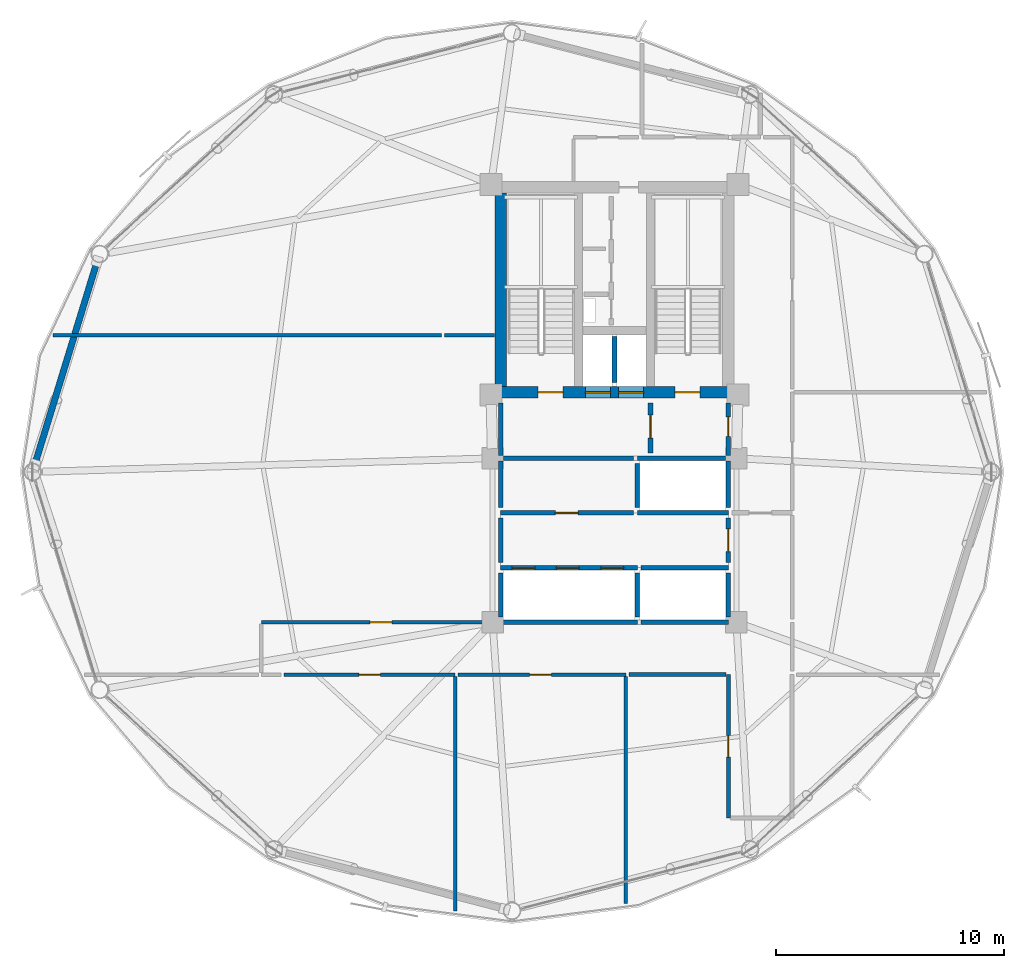
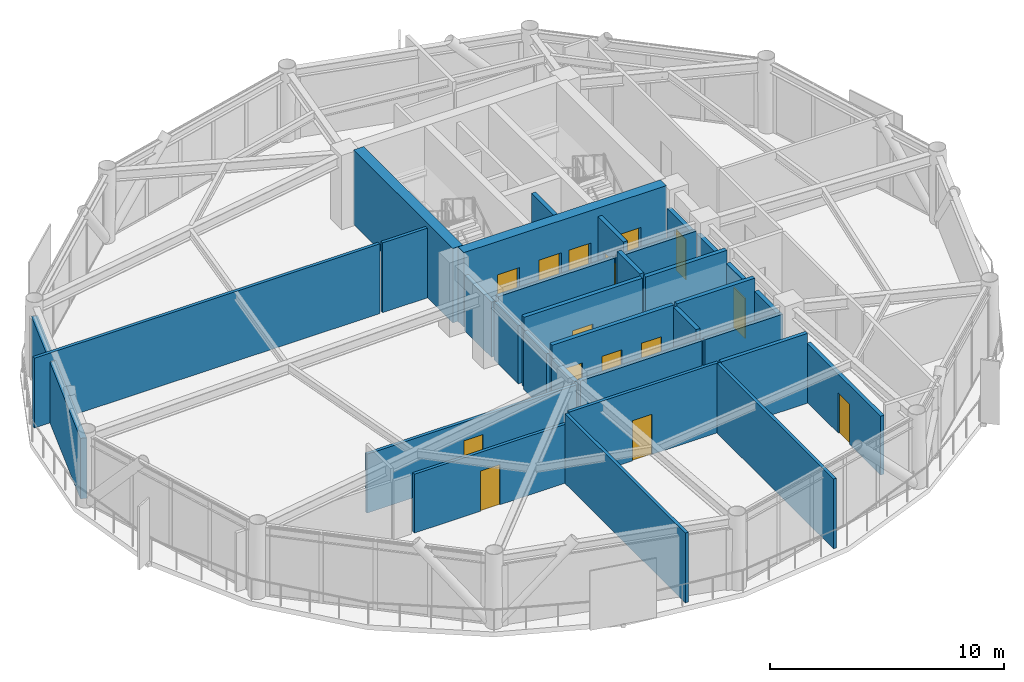
# One storey, part 22 of 27: 32 walls, 15 doors, 15 openings.
"""IFC4 building model written with IfcOpenShell, lengths in metres."""

from ifc_helpers import new_model, si_unit, direction, frame, frame_2d, origin, place, context, subcontext, project, spatial, rectangle, extrude, material, layer, layer_set, type_object, element, fill, save


model = new_model("IFC4")

# Units and contexts
model_context = context("Model", 3, precision=1e-05, world=origin(), true_north=direction((0.0, 1.0)))
body_context = subcontext(model_context, "Body", "Model", "MODEL_VIEW")
ifc_project = project(units=[si_unit("LENGTHUNIT", "METRE"), si_unit("AREAUNIT", "SQUARE_METRE"), si_unit("VOLUMEUNIT", "CUBIC_METRE"), si_unit("PLANEANGLEUNIT", "RADIAN"), si_unit("MASSUNIT", "GRAM", prefix="KILO")], contexts=[model_context])

# Site, building, storey
site_placement = place(None, origin())
site = spatial("IfcSite", under=ifc_project, at=site_placement, CompositionType="ELEMENT")
building_placement = place(site_placement, origin())
building = spatial("IfcBuilding", under=site, at=building_placement, Name="Varnakorn Sky Granary", CompositionType="ELEMENT")
storey_placement = place(building_placement, frame((0.0, 0.0, 134.39990234375)))
storey = spatial("IfcBuildingStorey", under=building, at=storey_placement, Name="L33", CompositionType="ELEMENT", Elevation=134.39990234375)

# Wall, openings, doors
ifc_material_1 = material(Name="Concrete C60/75", Category="concrete")
ifc_layer_1 = layer(ifc_material_1, 0.5, Name="Concrete C60/75")
ifc_layer_set_1 = layer_set([ifc_layer_1], Name="Concrete C60/75")
wall_type_1 = type_object("IfcWallType", Name="WT-CW-SHEAR-500", PredefinedType="SHEAR", material=ifc_layer_set_1)
wall_1_placement = place(storey_placement, frame((-2.0, 3.5, 0.0), z_axis=(0.0, 0.0, 1.0), x_axis=(1.0, 0.0, 0.0)))
wall_1 = element("IfcWall", 1, at=wall_1_placement, inside=storey, type_object=wall_type_1, Name="Core South Shear Wall L33", PredefinedType="SHEAR", context=body_context, shape_type="SweptSolid", body=[
    extrude(rectangle(XDim=10.0, YDim=0.5, at=frame_2d((5.0, 0.0))), origin(), (0.0, 0.0, 1.0), 3.89208984375),
])
opening_1_placement = place(wall_1_placement, frame((1.64990234375, 0.0, 0.0)))
opening_1 = element("IfcOpeningElement", 2, at=opening_1_placement, cuts=wall_1, Name="Opening FD-90", PredefinedType="OPENING", context=body_context, shape_type="SweptSolid", body=[
    extrude(rectangle(XDim=1.10009765625, YDim=2.14990234375, at=frame_2d((0.550048828125, 1.074951171875))), frame((0.0, 0.260009765625, 0.0), z_axis=(0.0, -1.0, 0.0), x_axis=(1.0, 0.0, 0.0)), (0.0, 0.0, 1.0), 0.52001953125),
])
opening_2_placement = place(wall_1_placement, frame((7.64990234375, 0.0, 0.0)))
opening_2 = element("IfcOpeningElement", 3, at=opening_2_placement, cuts=wall_1, Name="Opening FD-90", PredefinedType="OPENING", context=body_context, shape_type="SweptSolid", body=[
    extrude(rectangle(XDim=1.10009765625, YDim=2.14990234375, at=frame_2d((0.550048828125, 1.074951171875))), frame((0.0, 0.260009765625, 0.0), z_axis=(0.0, -1.0, 0.0), x_axis=(1.0, 0.0, 0.0)), (0.0, 0.0, 1.0), 0.52001953125),
])
opening_3_placement = place(wall_1_placement, frame((3.719970703125, 0.0, 0.0)))
opening_3 = element("IfcOpeningElement", 4, at=opening_3_placement, cuts=wall_1, Name="Opening LD-01", PredefinedType="OPENING", context=body_context, shape_type="SweptSolid", body=[
    extrude(rectangle(XDim=1.10009765625, YDim=2.199951171875, at=frame_2d((0.550048828125, 1.10009765625))), frame((0.0, 0.260009765625, 0.0), z_axis=(0.0, -1.0, 0.0), x_axis=(1.0, 0.0, 0.0)), (0.0, 0.0, 1.0), 0.52001953125),
])
opening_4_placement = place(wall_1_placement, frame((5.179931640625, 0.0, 0.0)))
opening_4 = element("IfcOpeningElement", 5, at=opening_4_placement, cuts=wall_1, Name="Opening LD-01", PredefinedType="OPENING", context=body_context, shape_type="SweptSolid", body=[
    extrude(rectangle(XDim=1.10009765625, YDim=2.199951171875, at=frame_2d((0.550048828125, 1.10009765625))), frame((0.0, 0.260009765625, 0.0), z_axis=(0.0, -1.0, 0.0), x_axis=(1.0, 0.0, 0.0)), (0.0, 0.0, 1.0), 0.52001953125),
])
ifc_material_2 = material(Name="Brushed Bronze Stainless Steel", Category="steel")
door_type_1 = type_object("IfcDoorType", Name="DR-LD-1100", OperationType="DOUBLE_DOOR_SLIDING", PredefinedType="DOOR", material=ifc_material_2)
door_1_placement = place(opening_3_placement, origin())
door_1 = element("IfcDoor", 6, at=door_1_placement, inside=storey, type_object=door_type_1, Name="Firefighting Lift FFL-1 Landing Door L33", OperationType="DOUBLE_DOOR_SLIDING", OverallHeight=2.199951171875, OverallWidth=1.10009765625, PredefinedType="DOOR", context=body_context, shape_type="SweptSolid", body=[
    extrude(rectangle(XDim=1.10009765625, YDim=2.199951171875, at=frame_2d((0.550048828125, 1.10009765625))), frame((0.0, 0.02490234375, 0.0), z_axis=(0.0, -1.0, 0.0), x_axis=(1.0, 0.0, 0.0)), (0.0, 0.0, 1.0), 0.050048828125),
])
fill(opening_3, door_1)
door_2_placement = place(opening_4_placement, origin())
door_2 = element("IfcDoor", 7, at=door_2_placement, inside=storey, type_object=door_type_1, Name="Firefighting Lift FFL-2 Landing Door L33", OperationType="DOUBLE_DOOR_SLIDING", OverallHeight=2.199951171875, OverallWidth=1.10009765625, PredefinedType="DOOR", context=body_context, shape_type="SweptSolid", body=[
    extrude(rectangle(XDim=1.10009765625, YDim=2.199951171875, at=frame_2d((0.550048828125, 1.10009765625))), frame((0.0, 0.02490234375, 0.0), z_axis=(0.0, -1.0, 0.0), x_axis=(1.0, 0.0, 0.0)), (0.0, 0.0, 1.0), 0.050048828125),
])
fill(opening_4, door_2)
ifc_material_3 = material(Name="Galvanised Painted Steel Leaf", Category="steel")
door_type_2 = type_object("IfcDoorType", Name="DR-STAIR-1100", OperationType="NOTDEFINED", PredefinedType="DOOR", material=ifc_material_3)
door_3_placement = place(opening_1_placement, origin())
door_3 = element("IfcDoor", 8, at=door_3_placement, inside=storey, type_object=door_type_2, Name="Stair ST-1 Protected Fire Door L33", OperationType="SINGLE_SWING_LEFT", OverallHeight=2.14990234375, OverallWidth=1.10009765625, PredefinedType="DOOR", context=body_context, shape_type="SweptSolid", body=[
    extrude(rectangle(XDim=1.10009765625, YDim=2.14990234375, at=frame_2d((0.550048828125, 1.074951171875))), frame((0.0, 0.02490234375, 0.0), z_axis=(0.0, -1.0, 0.0), x_axis=(1.0, 0.0, 0.0)), (0.0, 0.0, 1.0), 0.050048828125),
])
fill(opening_1, door_3)
door_4_placement = place(opening_2_placement, origin())
door_4 = element("IfcDoor", 9, at=door_4_placement, inside=storey, type_object=door_type_2, Name="Stair ST-2 Protected Fire Door L33", OperationType="SINGLE_SWING_RIGHT", OverallHeight=2.14990234375, OverallWidth=1.10009765625, PredefinedType="DOOR", context=body_context, shape_type="SweptSolid", body=[
    extrude(rectangle(XDim=1.10009765625, YDim=2.14990234375, at=frame_2d((0.550048828125, 1.074951171875))), frame((0.0, 0.02490234375, 0.0), z_axis=(0.0, -1.0, 0.0), x_axis=(1.0, 0.0, 0.0)), (0.0, 0.0, 1.0), 0.050048828125),
])
fill(opening_2, door_4)

# Walls
wall_2_placement = place(storey_placement, frame((-2.0, 3.760009765625, 0.0), z_axis=(0.0, 0.0, 1.0), x_axis=(0.0, 1.0, 0.0)))
element("IfcWall", 10, at=wall_2_placement, inside=storey, type_object=wall_type_1, Name="Core West Shear Wall L33", PredefinedType="SHEAR", context=body_context, shape_type="SweptSolid", body=[
    extrude(rectangle(XDim=8.47998046875, YDim=0.5, at=frame_2d((4.239990234375, 0.0))), origin(), (0.0, 0.0, 1.0), 3.89208984375),
])
ifc_material_4 = material(Name="Precast concrete C40/50", Category="concrete")
ifc_layer_2 = layer(ifc_material_4, 0.280029296875, Name="Precast concrete C40/50")
ifc_layer_set_2 = layer_set([ifc_layer_2], Name="Precast concrete C40/50")
wall_type_2 = type_object("IfcWallType", Name="WT-EW-CRN-280", PredefinedType="SOLIDWALL", material=ifc_layer_set_2)
wall_3_placement = place(storey_placement, frame((-22.451416015625, 0.3212890625, 0.0), z_axis=(0.0, 0.0, 1.0), x_axis=(0.2933492289, 0.956005350353, 0.0)))
element("IfcWall", 11, at=wall_3_placement, inside=storey, type_object=wall_type_2, Name="Agritech Insulated Precast Facade Wall L33-P06", PredefinedType="SOLIDWALL", context=body_context, shape_type="SweptSolid", body=[
    extrude(rectangle(XDim=9.34033203125, YDim=0.280029296875, at=frame_2d((4.670166015625, 0.0))), origin(), (0.0, 0.0, 1.0), 3.16015625),
])

# Wall, opening, door
ifc_material_5 = material(Name="Autoclaved Aerated Concrete Blockwork", Category="masonry")
ifc_layer_3 = layer(ifc_material_5, 0.199951171875, Name="Autoclaved Aerated Concrete Blockwork")
ifc_layer_set_3 = layer_set([ifc_layer_3], Name="Autoclaved Aerated Concrete Blockwork")
wall_type_3 = type_object("IfcWallType", Name="WT-FIRE-200", PredefinedType="MOVABLE", material=ifc_layer_set_3)
wall_4_placement = place(storey_placement, frame((4.580078125, 0.830078125, 0.0), z_axis=(0.0, 0.0, 1.0), x_axis=(0.0, 1.0, 0.0)))
wall_4 = element("IfcWall", 12, at=wall_4_placement, inside=storey, type_object=wall_type_3, Name="Interior Partition Wall L33-015", PredefinedType="MOVABLE", context=body_context, shape_type="SweptSolid", body=[
    extrude(rectangle(XDim=2.18994140625, YDim=0.199951171875, at=frame_2d((1.094970703125, 0.0))), origin(), (0.0, 0.0, 1.0), 3.64013671875),
])
opening_5_placement = place(wall_4_placement, frame((0.659912109375, 0.0, 0.0)))
opening_5 = element("IfcOpeningElement", 13, at=opening_5_placement, cuts=wall_4, Name="Opening FD-60", PredefinedType="OPENING", context=body_context, shape_type="SweptSolid", body=[
    extrude(rectangle(XDim=1.0, YDim=2.10009765625, at=frame_2d((0.5, 1.050048828125))), frame((0.0, 0.10986328125, 0.0), z_axis=(0.0, -1.0, 0.0), x_axis=(1.0, 0.0, 0.0)), (0.0, 0.0, 1.0), 0.219970703125),
])
ifc_material_6 = material(Name="Acoustic Timber Fire Leaf", Category="wood")
door_type_3 = type_object("IfcDoorType", Name="DR-FD60-1000", OperationType="NOTDEFINED", PredefinedType="DOOR", material=ifc_material_6)
door_5_placement = place(opening_5_placement, origin())
door_5 = element("IfcDoor", 14, at=door_5_placement, inside=storey, type_object=door_type_3, Name="Interior Door L33-015-1", OperationType="SINGLE_SWING_RIGHT", OverallHeight=2.10009765625, OverallWidth=1.0, PredefinedType="DOOR", context=body_context, shape_type="SweptSolid", body=[
    extrude(rectangle(XDim=1.0, YDim=2.10009765625, at=frame_2d((0.5, 1.050048828125))), frame((0.0, 0.02490234375, 0.0), z_axis=(0.0, -1.0, 0.0), x_axis=(1.0, 0.0, 0.0)), (0.0, 0.0, 1.0), 0.050048828125),
])
fill(opening_5, door_5)

wall_5_placement = place(storey_placement, frame((8.0, 0.719970703125, 0.0), z_axis=(0.0, 0.0, 1.0), x_axis=(0.0, 1.0, 0.0)))
wall_5 = element("IfcWall", 15, at=wall_5_placement, inside=storey, type_object=wall_type_3, Name="Interior Partition Wall L33-016", PredefinedType="MOVABLE", context=body_context, shape_type="SweptSolid", body=[
    extrude(rectangle(XDim=2.300048828125, YDim=0.199951171875, at=frame_2d((1.14990234375, 0.0))), origin(), (0.0, 0.0, 1.0), 2.8720703125),
])
opening_6_placement = place(wall_5_placement, frame((0.844970703125, 0.0, 0.0)))
opening_6 = element("IfcOpeningElement", 16, at=opening_6_placement, cuts=wall_5, Name="Opening FD-60N", PredefinedType="OPENING", context=body_context, shape_type="SweptSolid", body=[
    extrude(rectangle(XDim=0.85009765625, YDim=2.10009765625, at=frame_2d((0.425048828125, 1.050048828125))), frame((0.0, 0.10986328125, 0.0), z_axis=(0.0, -1.0, 0.0), x_axis=(1.0, 0.0, 0.0)), (0.0, 0.0, 1.0), 0.219970703125),
])
door_type_4 = type_object("IfcDoorType", Name="DR-FD60-850", OperationType="NOTDEFINED", PredefinedType="DOOR", material=ifc_material_6)
door_6_placement = place(opening_6_placement, origin())
door_6 = element("IfcDoor", 17, at=door_6_placement, inside=storey, type_object=door_type_4, Name="Interior Door L33-016-1", OperationType="SINGLE_SWING_LEFT", OverallHeight=2.10009765625, OverallWidth=0.85009765625, PredefinedType="DOOR", context=body_context, shape_type="SweptSolid", body=[
    extrude(rectangle(XDim=0.85009765625, YDim=2.10009765625, at=frame_2d((0.425048828125, 1.050048828125))), frame((0.0, 0.02490234375, 0.0), z_axis=(0.0, -1.0, 0.0), x_axis=(1.0, 0.0, 0.0)), (0.0, 0.0, 1.0), 0.050048828125),
])
fill(opening_6, door_6)

wall_6_placement = place(storey_placement, frame((8.0, -3.969970703125, 0.0), z_axis=(0.0, 0.0, 1.0), x_axis=(0.0, 1.0, 0.0)))
wall_6 = element("IfcWall", 18, at=wall_6_placement, inside=storey, type_object=wall_type_3, Name="Interior Partition Wall L33-017", PredefinedType="MOVABLE", context=body_context, shape_type="SweptSolid", body=[
    extrude(rectangle(XDim=1.93994140625, YDim=0.199951171875, at=frame_2d((0.969970703125, 0.0))), origin(), (0.0, 0.0, 1.0), 3.072021484375),
])
opening_7_placement = place(wall_6_placement, frame((0.469970703125, 0.0, 0.0)))
opening_7 = element("IfcOpeningElement", 19, at=opening_7_placement, cuts=wall_6, Name="Opening FD-60", PredefinedType="OPENING", context=body_context, shape_type="SweptSolid", body=[
    extrude(rectangle(XDim=1.0, YDim=2.10009765625, at=frame_2d((0.5, 1.050048828125))), frame((0.0, 0.10986328125, 0.0), z_axis=(0.0, -1.0, 0.0), x_axis=(1.0, 0.0, 0.0)), (0.0, 0.0, 1.0), 0.219970703125),
])
door_7_placement = place(opening_7_placement, origin())
door_7 = element("IfcDoor", 20, at=door_7_placement, inside=storey, type_object=door_type_3, Name="Interior Door L33-017-1", OperationType="SINGLE_SWING_RIGHT", OverallHeight=2.10009765625, OverallWidth=1.0, PredefinedType="DOOR", context=body_context, shape_type="SweptSolid", body=[
    extrude(rectangle(XDim=1.0, YDim=2.10009765625, at=frame_2d((0.5, 1.050048828125))), frame((0.0, 0.02490234375, 0.0), z_axis=(0.0, -1.0, 0.0), x_axis=(1.0, 0.0, 0.0)), (0.0, 0.0, 1.0), 0.050048828125),
])
fill(opening_7, door_7)

wall_7_placement = place(storey_placement, frame((-2.0, -1.800048828125, 0.0), z_axis=(0.0, 0.0, 1.0), x_axis=(1.0, 0.0, 0.0)))
wall_7 = element("IfcWall", 21, at=wall_7_placement, inside=storey, type_object=wall_type_3, Name="Interior Partition Wall L33-018", PredefinedType="MOVABLE", context=body_context, shape_type="SweptSolid", body=[
    extrude(rectangle(XDim=5.840087890625, YDim=0.199951171875, at=frame_2d((2.919921875, 0.0))), origin(), (0.0, 0.0, 1.0), 3.64013671875),
])
opening_8_placement = place(wall_7_placement, frame((2.39990234375, 0.0, 0.0)))
opening_8 = element("IfcOpeningElement", 22, at=opening_8_placement, cuts=wall_7, Name="Opening FD-60", PredefinedType="OPENING", context=body_context, shape_type="SweptSolid", body=[
    extrude(rectangle(XDim=1.0, YDim=2.10009765625, at=frame_2d((0.5, 1.050048828125))), frame((0.0, 0.10986328125, 0.0), z_axis=(0.0, -1.0, 0.0), x_axis=(1.0, 0.0, 0.0)), (0.0, 0.0, 1.0), 0.219970703125),
])
door_8_placement = place(opening_8_placement, origin())
door_8 = element("IfcDoor", 23, at=door_8_placement, inside=storey, type_object=door_type_3, Name="Interior Door L33-018-1", OperationType="SINGLE_SWING_LEFT", OverallHeight=2.10009765625, OverallWidth=1.0, PredefinedType="DOOR", context=body_context, shape_type="SweptSolid", body=[
    extrude(rectangle(XDim=1.0, YDim=2.10009765625, at=frame_2d((0.5, 1.050048828125))), frame((0.0, 0.02490234375, 0.0), z_axis=(0.0, -1.0, 0.0), x_axis=(1.0, 0.0, 0.0)), (0.0, 0.0, 1.0), 0.050048828125),
])
fill(opening_8, door_8)

# Walls
wall_8_placement = place(storey_placement, frame((-1.8798828125, 0.60009765625, 0.0), z_axis=(0.0, 0.0, 1.0), x_axis=(1.0, 0.0, 0.0)))
element("IfcWall", 24, at=wall_8_placement, inside=storey, type_object=wall_type_3, Name="Interior Partition Wall L33-029", PredefinedType="MOVABLE", context=body_context, shape_type="SweptSolid", body=[
    extrude(rectangle(XDim=5.719970703125, YDim=0.199951171875, at=frame_2d((2.85986328125, 0.0))), origin(), (0.0, 0.0, 1.0), 3.22216796875),
])
wall_9_placement = place(storey_placement, frame((-2.0, 0.719970703125, 0.0), z_axis=(0.0, 0.0, 1.0), x_axis=(0.0, 1.0, 0.0)))
element("IfcWall", 25, at=wall_9_placement, inside=storey, type_object=wall_type_3, Name="Interior Partition Wall L33-030", PredefinedType="MOVABLE", context=body_context, shape_type="SweptSolid", body=[
    extrude(rectangle(XDim=2.300048828125, YDim=0.199951171875, at=frame_2d((1.14990234375, 0.0))), origin(), (0.0, 0.0, 1.0), 2.8720703125),
])
wall_10_placement = place(storey_placement, frame((-2.0, -3.969970703125, 0.0), z_axis=(0.0, 0.0, 1.0), x_axis=(0.0, 1.0, 0.0)))
element("IfcWall", 26, at=wall_10_placement, inside=storey, type_object=wall_type_3, Name="Interior Partition Wall L33-031", PredefinedType="MOVABLE", context=body_context, shape_type="SweptSolid", body=[
    extrude(rectangle(XDim=1.93994140625, YDim=0.199951171875, at=frame_2d((0.969970703125, 0.0))), origin(), (0.0, 0.0, 1.0), 3.022216796875),
])
wall_11_placement = place(storey_placement, frame((-2.0, -1.570068359375, 0.0), z_axis=(0.0, 0.0, 1.0), x_axis=(0.0, 1.0, 0.0)))
element("IfcWall", 27, at=wall_11_placement, inside=storey, type_object=wall_type_3, Name="Interior Partition Wall L33-032", PredefinedType="MOVABLE", context=body_context, shape_type="SweptSolid", body=[
    extrude(rectangle(XDim=2.050048828125, YDim=0.199951171875, at=frame_2d((1.02490234375, 0.0))), origin(), (0.0, 0.0, 1.0), 3.022216796875),
])

# Wall, opening, door
ifc_material_7 = material(Name="Gypsum Plasterboard on Steel Stud", Category="steel")
ifc_layer_4 = layer(ifc_material_7, 0.14990234375, Name="Gypsum Plasterboard on Steel Stud")
ifc_layer_set_4 = layer_set([ifc_layer_4], Name="Gypsum Plasterboard on Steel Stud")
wall_type_4 = type_object("IfcWallType", Name="WT-PART-150", PredefinedType="PARTITIONING", material=ifc_layer_set_4)
wall_12_placement = place(storey_placement, frame((-11.5, -8.89990234375, 0.0), z_axis=(0.0, 0.0, 1.0), x_axis=(1.0, 0.0, 0.0)))
wall_12 = element("IfcWall", 28, at=wall_12_placement, inside=storey, type_object=wall_type_4, Name="Interior Partition Wall L33-021", PredefinedType="PARTITIONING", context=body_context, shape_type="SweptSolid", body=[
    extrude(rectangle(XDim=7.5, YDim=0.14990234375, at=frame_2d((3.75, 0.0))), origin(), (0.0, 0.0, 1.0), 3.072021484375),
])
opening_9_placement = place(wall_12_placement, frame((3.27490234375, 0.0, 0.0)))
opening_9 = element("IfcOpeningElement", 29, at=opening_9_placement, cuts=wall_12, Name="Opening ID-95", PredefinedType="OPENING", context=body_context, shape_type="SweptSolid", body=[
    extrude(rectangle(XDim=0.949951171875, YDim=2.10009765625, at=frame_2d((0.47509765625, 1.050048828125))), frame((0.0, 0.0849609375, 0.0), z_axis=(0.0, -1.0, 0.0), x_axis=(1.0, 0.0, 0.0)), (0.0, 0.0, 1.0), 0.169921875),
])
ifc_material_8 = material(Name="Solid-Core Teak Veneer Leaf", Category="timber")
door_type_5 = type_object("IfcDoorType", Name="DR-INT-950", OperationType="NOTDEFINED", PredefinedType="DOOR", material=ifc_material_8)
door_9_placement = place(opening_9_placement, origin())
door_9 = element("IfcDoor", 30, at=door_9_placement, inside=storey, type_object=door_type_5, Name="Interior Door L33-021-1", OperationType="SINGLE_SWING_RIGHT", OverallHeight=2.10009765625, OverallWidth=0.949951171875, PredefinedType="DOOR", context=body_context, shape_type="SweptSolid", body=[
    extrude(rectangle(XDim=0.949951171875, YDim=2.10009765625, at=frame_2d((0.47509765625, 1.050048828125))), frame((0.0, 0.02490234375, 0.0), z_axis=(0.0, -1.0, 0.0), x_axis=(1.0, 0.0, 0.0)), (0.0, 0.0, 1.0), 0.050048828125),
])
fill(opening_9, door_9)

wall_13_placement = place(storey_placement, frame((-3.864990234375, -8.89990234375, 0.0), z_axis=(0.0, 0.0, 1.0), x_axis=(1.0, 0.0, 0.0)))
wall_13 = element("IfcWall", 31, at=wall_13_placement, inside=storey, type_object=wall_type_4, Name="Interior Partition Wall L33-022", PredefinedType="PARTITIONING", context=body_context, shape_type="SweptSolid", body=[
    extrude(rectangle(XDim=7.364990234375, YDim=0.14990234375, at=frame_2d((3.6826171875, 0.0))), origin(), (0.0, 0.0, 1.0), 3.64013671875),
])
opening_10_placement = place(wall_13_placement, frame((3.139892578125, 0.0, 0.0)))
opening_10 = element("IfcOpeningElement", 32, at=opening_10_placement, cuts=wall_13, Name="Opening ID-95", PredefinedType="OPENING", context=body_context, shape_type="SweptSolid", body=[
    extrude(rectangle(XDim=0.949951171875, YDim=2.10009765625, at=frame_2d((0.47509765625, 1.050048828125))), frame((0.0, 0.0849609375, 0.0), z_axis=(0.0, -1.0, 0.0), x_axis=(1.0, 0.0, 0.0)), (0.0, 0.0, 1.0), 0.169921875),
])
door_10_placement = place(opening_10_placement, origin())
door_10 = element("IfcDoor", 33, at=door_10_placement, inside=storey, type_object=door_type_5, Name="Interior Door L33-022-1", OperationType="SINGLE_SWING_LEFT", OverallHeight=2.10009765625, OverallWidth=0.949951171875, PredefinedType="DOOR", context=body_context, shape_type="SweptSolid", body=[
    extrude(rectangle(XDim=0.949951171875, YDim=2.10009765625, at=frame_2d((0.47509765625, 1.050048828125))), frame((0.0, 0.02490234375, 0.0), z_axis=(0.0, -1.0, 0.0), x_axis=(1.0, 0.0, 0.0)), (0.0, 0.0, 1.0), 0.050048828125),
])
fill(opening_10, door_10)

wall_14_placement = place(storey_placement, frame((-2.159912109375, -6.60009765625, 0.0), z_axis=(0.0, 0.0, 1.0), x_axis=(-1.0, 0.0, 0.0)))
wall_14 = element("IfcWall", 34, at=wall_14_placement, inside=storey, type_object=wall_type_4, Name="Interior Partition Wall L33-024", PredefinedType="PARTITIONING", context=body_context, shape_type="SweptSolid", body=[
    extrude(rectangle(XDim=10.340087890625, YDim=0.14990234375, at=frame_2d((5.169921875, 0.0))), origin(), (0.0, 0.0, 1.0), 3.072021484375),
])
opening_11_placement = place(wall_14_placement, frame((4.614990234375, 0.0, 0.0)))
opening_11 = element("IfcOpeningElement", 35, at=opening_11_placement, cuts=wall_14, Name="Opening ID-95", PredefinedType="OPENING", context=body_context, shape_type="SweptSolid", body=[
    extrude(rectangle(XDim=0.949951171875, YDim=2.10009765625, at=frame_2d((0.47509765625, 1.050048828125))), frame((0.0, 0.0849609375, 0.0), z_axis=(0.0, -1.0, 0.0), x_axis=(1.0, 0.0, 0.0)), (0.0, 0.0, 1.0), 0.169921875),
])
door_11_placement = place(opening_11_placement, origin())
door_11 = element("IfcDoor", 36, at=door_11_placement, inside=storey, type_object=door_type_5, Name="Interior Door L33-024-1", OperationType="SINGLE_SWING_LEFT", OverallHeight=2.10009765625, OverallWidth=0.949951171875, PredefinedType="DOOR", context=body_context, shape_type="SweptSolid", body=[
    extrude(rectangle(XDim=0.949951171875, YDim=2.10009765625, at=frame_2d((0.47509765625, 1.050048828125))), frame((0.0, 0.02490234375, 0.0), z_axis=(0.0, -1.0, 0.0), x_axis=(1.0, 0.0, 0.0)), (0.0, 0.0, 1.0), 0.050048828125),
])
fill(opening_11, door_11)

# Walls
wall_15_placement = place(storey_placement, frame((-4.0, -8.985107421875, 0.0), z_axis=(0.0, 0.0, 1.0), x_axis=(0.0, -1.0, 0.0)))
element("IfcWall", 37, at=wall_15_placement, inside=storey, type_object=wall_type_4, Name="Interior Partition Wall L33-035", PredefinedType="PARTITIONING", context=body_context, shape_type="SweptSolid", body=[
    extrude(rectangle(XDim=10.281982421875, YDim=0.14990234375, at=frame_2d((5.14111328125, 0.0))), origin(), (0.0, 0.0, 1.0), 3.64013671875),
])
wall_16_placement = place(storey_placement, frame((3.5, -8.985107421875, 0.0), z_axis=(0.0, 0.0, 1.0), x_axis=(0.0, -1.0, 0.0)))
element("IfcWall", 38, at=wall_16_placement, inside=storey, type_object=wall_type_4, Name="Interior Partition Wall L33-037", PredefinedType="PARTITIONING", context=body_context, shape_type="SweptSolid", body=[
    extrude(rectangle(XDim=9.9599609375, YDim=0.14990234375, at=frame_2d((4.97998046875, 0.0))), origin(), (0.0, 0.0, 1.0), 3.64013671875),
])
wall_17_placement = place(storey_placement, frame((-21.64404296875, 6.0, 0.0), z_axis=(0.0, 0.0, 1.0), x_axis=(1.0, 0.0, 0.0)))
element("IfcWall", 39, at=wall_17_placement, inside=storey, type_object=wall_type_4, Name="Interior Partition Wall L33-043", PredefinedType="PARTITIONING", context=body_context, shape_type="SweptSolid", body=[
    extrude(rectangle(XDim=17.0439453125, YDim=0.14990234375, at=frame_2d((8.52197265625, 0.0))), origin(), (0.0, 0.0, 1.0), 3.64013671875),
])
wall_18_placement = place(storey_placement, frame((-4.465087890625, 6.0, 0.0), z_axis=(0.0, 0.0, 1.0), x_axis=(1.0, 0.0, 0.0)))
element("IfcWall", 40, at=wall_18_placement, inside=storey, type_object=wall_type_4, Name="Interior Partition Wall L33-044", PredefinedType="PARTITIONING", context=body_context, shape_type="SweptSolid", body=[
    extrude(rectangle(XDim=2.205078125, YDim=0.14990234375, at=frame_2d((1.1025390625, 0.0))), origin(), (0.0, 0.0, 1.0), 3.64013671875),
])

# Wall, opening, door
ifc_material_9 = material(Name="Moisture-Resistant Gypsum on Stud", Category="gypsum")
ifc_layer_5 = layer(ifc_material_9, 0.179931640625, Name="Moisture-Resistant Gypsum on Stud")
ifc_layer_set_5 = layer_set([ifc_layer_5], Name="Moisture-Resistant Gypsum on Stud")
wall_type_5 = type_object("IfcWallType", Name="WT-PLUMB-180", PredefinedType="PLUMBINGWALL", material=ifc_layer_set_5)
wall_19_placement = place(storey_placement, frame((8.0, -8.89990234375, 0.0), z_axis=(0.0, 0.0, 1.0), x_axis=(0.0, -1.0, 0.0)))
wall_19 = element("IfcWall", 41, at=wall_19_placement, inside=storey, type_object=wall_type_5, Name="Interior Partition Wall L33-023", PredefinedType="PLUMBINGWALL", context=body_context, shape_type="SweptSolid", body=[
    extrude(rectangle(XDim=6.300048828125, YDim=0.179931640625, at=frame_2d((3.14990234375, 0.0))), origin(), (0.0, 0.0, 1.0), 3.072021484375),
])
opening_12_placement = place(wall_19_placement, frame((2.675048828125, 0.0, 0.0)))
opening_12 = element("IfcOpeningElement", 42, at=opening_12_placement, cuts=wall_19, Name="Opening ID-95", PredefinedType="OPENING", context=body_context, shape_type="SweptSolid", body=[
    extrude(rectangle(XDim=0.949951171875, YDim=2.10009765625, at=frame_2d((0.47509765625, 1.050048828125))), frame((0.0, 0.10009765625, 0.0), z_axis=(0.0, -1.0, 0.0), x_axis=(1.0, 0.0, 0.0)), (0.0, 0.0, 1.0), 0.199951171875),
])
door_12_placement = place(opening_12_placement, origin())
door_12 = element("IfcDoor", 43, at=door_12_placement, inside=storey, type_object=door_type_5, Name="Interior Door L33-023-1", OperationType="SINGLE_SWING_RIGHT", OverallHeight=2.10009765625, OverallWidth=0.949951171875, PredefinedType="DOOR", context=body_context, shape_type="SweptSolid", body=[
    extrude(rectangle(XDim=0.949951171875, YDim=2.10009765625, at=frame_2d((0.47509765625, 1.050048828125))), frame((0.0, 0.02490234375, 0.0), z_axis=(0.0, -1.0, 0.0), x_axis=(1.0, 0.0, 0.0)), (0.0, 0.0, 1.0), 0.050048828125),
])
fill(opening_12, door_12)

# Walls
wall_20_placement = place(storey_placement, frame((3.635009765625, -8.89990234375, 0.0), z_axis=(0.0, 0.0, 1.0), x_axis=(1.0, 0.0, 0.0)))
element("IfcWall", 44, at=wall_20_placement, inside=storey, type_object=wall_type_5, Name="Interior Partition Wall L33-039", PredefinedType="PLUMBINGWALL", context=body_context, shape_type="SweptSolid", body=[
    extrude(rectangle(XDim=4.264892578125, YDim=0.179931640625, at=frame_2d((2.13232421875, 0.0))), origin(), (0.0, 0.0, 1.0), 3.64013671875),
])
ifc_layer_6 = layer(ifc_material_5, 0.199951171875, Name="Autoclaved Aerated Concrete Blockwork")
ifc_layer_set_6 = layer_set([ifc_layer_6], Name="Autoclaved Aerated Concrete Blockwork")
wall_type_6 = type_object("IfcWallType", Name="WT-SHAFT-200", PredefinedType="SOLIDWALL", material=ifc_layer_set_6)
wall_21_placement = place(storey_placement, frame((3.0, 3.919921875, 0.0), z_axis=(0.0, 0.0, 1.0), x_axis=(0.0, 1.0, 0.0)))
element("IfcWall", 45, at=wall_21_placement, inside=storey, type_object=wall_type_6, Name="Interior Partition Wall L33-001", PredefinedType="SOLIDWALL", context=body_context, shape_type="SweptSolid", body=[
    extrude(rectangle(XDim=2.030029296875, YDim=0.199951171875, at=frame_2d((1.01513671875, 0.0))), origin(), (0.0, 0.0, 1.0), 3.64013671875),
])
wall_22_placement = place(storey_placement, frame((4.0, 0.60009765625, 0.0), z_axis=(0.0, 0.0, 1.0), x_axis=(1.0, 0.0, 0.0)))
element("IfcWall", 46, at=wall_22_placement, inside=storey, type_object=wall_type_6, Name="Interior Partition Wall L33-003", PredefinedType="SOLIDWALL", context=body_context, shape_type="SweptSolid", body=[
    extrude(rectangle(XDim=3.8798828125, YDim=0.199951171875, at=frame_2d((1.93994140625, 0.0))), origin(), (0.0, 0.0, 1.0), 3.22216796875),
])
wall_23_placement = place(storey_placement, frame((4.0, -1.800048828125, 0.0), z_axis=(0.0, 0.0, 1.0), x_axis=(1.0, 0.0, 0.0)))
element("IfcWall", 47, at=wall_23_placement, inside=storey, type_object=wall_type_6, Name="Interior Partition Wall L33-004", PredefinedType="SOLIDWALL", context=body_context, shape_type="SweptSolid", body=[
    extrude(rectangle(XDim=4.0, YDim=0.199951171875, at=frame_2d((2.0, 0.0))), origin(), (0.0, 0.0, 1.0), 3.64013671875),
])
wall_24_placement = place(storey_placement, frame((4.0, -1.570068359375, 0.0), z_axis=(0.0, 0.0, 1.0), x_axis=(0.0, 1.0, 0.0)))
element("IfcWall", 48, at=wall_24_placement, inside=storey, type_object=wall_type_6, Name="Interior Partition Wall L33-005", PredefinedType="SOLIDWALL", context=body_context, shape_type="SweptSolid", body=[
    extrude(rectangle(XDim=1.940185546875, YDim=0.199951171875, at=frame_2d((0.97021484375, 0.0))), origin(), (0.0, 0.0, 1.0), 3.64013671875),
])
wall_25_placement = place(storey_placement, frame((8.0, -1.570068359375, 0.0), z_axis=(0.0, 0.0, 1.0), x_axis=(0.0, 1.0, 0.0)))
element("IfcWall", 49, at=wall_25_placement, inside=storey, type_object=wall_type_6, Name="Interior Partition Wall L33-006", PredefinedType="SOLIDWALL", context=body_context, shape_type="SweptSolid", body=[
    extrude(rectangle(XDim=2.050048828125, YDim=0.199951171875, at=frame_2d((1.02490234375, 0.0))), origin(), (0.0, 0.0, 1.0), 3.072021484375),
])

# Wall, openings, doors
wall_26_placement = place(storey_placement, frame((-2.0, -4.199951171875, 0.0), z_axis=(0.0, 0.0, 1.0), x_axis=(1.0, 0.0, 0.0)))
wall_26 = element("IfcWall", 50, at=wall_26_placement, inside=storey, type_object=wall_type_6, Name="Interior Partition Wall L33-007", PredefinedType="SOLIDWALL", context=body_context, shape_type="SweptSolid", body=[
    extrude(rectangle(XDim=6.0, YDim=0.199951171875, at=frame_2d((3.0, 0.0))), origin(), (0.0, 0.0, 1.0), 3.64013671875),
])
opening_13_placement = place(wall_26_placement, frame((0.5, 0.0, 0.0)))
opening_13 = element("IfcOpeningElement", 51, at=opening_13_placement, cuts=wall_26, Name="Opening LD-03", PredefinedType="OPENING", context=body_context, shape_type="SweptSolid", body=[
    extrude(rectangle(XDim=1.0, YDim=2.199951171875, at=frame_2d((0.5, 1.10009765625))), frame((0.0, 0.10986328125, 0.0), z_axis=(0.0, -1.0, 0.0), x_axis=(1.0, 0.0, 0.0)), (0.0, 0.0, 1.0), 0.219970703125),
])
opening_14_placement = place(wall_26_placement, frame((2.449951171875, 0.0, 0.0)))
opening_14 = element("IfcOpeningElement", 52, at=opening_14_placement, cuts=wall_26, Name="Opening LD-03", PredefinedType="OPENING", context=body_context, shape_type="SweptSolid", body=[
    extrude(rectangle(XDim=1.0, YDim=2.199951171875, at=frame_2d((0.5, 1.10009765625))), frame((0.0, 0.10986328125, 0.0), z_axis=(0.0, -1.0, 0.0), x_axis=(1.0, 0.0, 0.0)), (0.0, 0.0, 1.0), 0.219970703125),
])
opening_15_placement = place(wall_26_placement, frame((4.39990234375, 0.0, 0.0)))
opening_15 = element("IfcOpeningElement", 53, at=opening_15_placement, cuts=wall_26, Name="Opening LD-03", PredefinedType="OPENING", context=body_context, shape_type="SweptSolid", body=[
    extrude(rectangle(XDim=1.0, YDim=2.199951171875, at=frame_2d((0.5, 1.10009765625))), frame((0.0, 0.10986328125, 0.0), z_axis=(0.0, -1.0, 0.0), x_axis=(1.0, 0.0, 0.0)), (0.0, 0.0, 1.0), 0.219970703125),
])
door_type_6 = type_object("IfcDoorType", Name="DR-LD-1000", OperationType="DOUBLE_DOOR_SLIDING", PredefinedType="DOOR", material=ifc_material_2)
door_13_placement = place(opening_13_placement, origin())
door_13 = element("IfcDoor", 54, at=door_13_placement, inside=storey, type_object=door_type_6, Name="Passenger Lift PL-M1 Sliding Landing Door L33", OperationType="DOUBLE_DOOR_SLIDING", OverallHeight=2.199951171875, OverallWidth=1.0, PredefinedType="DOOR", context=body_context, shape_type="SweptSolid", body=[
    extrude(rectangle(XDim=1.0, YDim=2.199951171875, at=frame_2d((0.5, 1.10009765625))), frame((0.0, 0.02490234375, 0.0), z_axis=(0.0, -1.0, 0.0), x_axis=(1.0, 0.0, 0.0)), (0.0, 0.0, 1.0), 0.050048828125),
])
fill(opening_13, door_13)
door_14_placement = place(opening_14_placement, origin())
door_14 = element("IfcDoor", 55, at=door_14_placement, inside=storey, type_object=door_type_6, Name="Passenger Lift PL-M2 Sliding Landing Door L33", OperationType="DOUBLE_DOOR_SLIDING", OverallHeight=2.199951171875, OverallWidth=1.0, PredefinedType="DOOR", context=body_context, shape_type="SweptSolid", body=[
    extrude(rectangle(XDim=1.0, YDim=2.199951171875, at=frame_2d((0.5, 1.10009765625))), frame((0.0, 0.02490234375, 0.0), z_axis=(0.0, -1.0, 0.0), x_axis=(1.0, 0.0, 0.0)), (0.0, 0.0, 1.0), 0.050048828125),
])
fill(opening_14, door_14)
door_15_placement = place(opening_15_placement, origin())
door_15 = element("IfcDoor", 56, at=door_15_placement, inside=storey, type_object=door_type_6, Name="Passenger Lift PL-M3 Sliding Landing Door L33", OperationType="DOUBLE_DOOR_SLIDING", OverallHeight=2.199951171875, OverallWidth=1.0, PredefinedType="DOOR", context=body_context, shape_type="SweptSolid", body=[
    extrude(rectangle(XDim=1.0, YDim=2.199951171875, at=frame_2d((0.5, 1.10009765625))), frame((0.0, 0.02490234375, 0.0), z_axis=(0.0, -1.0, 0.0), x_axis=(1.0, 0.0, 0.0)), (0.0, 0.0, 1.0), 0.050048828125),
])
fill(opening_15, door_15)

# Walls
wall_27_placement = place(storey_placement, frame((-2.0, -6.60009765625, 0.0), z_axis=(0.0, 0.0, 1.0), x_axis=(1.0, 0.0, 0.0)))
element("IfcWall", 57, at=wall_27_placement, inside=storey, type_object=wall_type_6, Name="Interior Partition Wall L33-008", PredefinedType="SOLIDWALL", context=body_context, shape_type="SweptSolid", body=[
    extrude(rectangle(XDim=6.0, YDim=0.199951171875, at=frame_2d((3.0, 0.0))), origin(), (0.0, 0.0, 1.0), 3.22216796875),
])
wall_28_placement = place(storey_placement, frame((-2.0, -6.3701171875, 0.0), z_axis=(0.0, 0.0, 1.0), x_axis=(0.0, 1.0, 0.0)))
element("IfcWall", 58, at=wall_28_placement, inside=storey, type_object=wall_type_6, Name="Interior Partition Wall L33-009", PredefinedType="SOLIDWALL", context=body_context, shape_type="SweptSolid", body=[
    extrude(rectangle(XDim=1.940185546875, YDim=0.199951171875, at=frame_2d((0.97021484375, 0.0))), origin(), (0.0, 0.0, 1.0), 3.022216796875),
])
wall_29_placement = place(storey_placement, frame((4.159912109375, -4.199951171875, 0.0), z_axis=(0.0, 0.0, 1.0), x_axis=(1.0, 0.0, 0.0)))
element("IfcWall", 59, at=wall_29_placement, inside=storey, type_object=wall_type_6, Name="Interior Partition Wall L33-010", PredefinedType="SOLIDWALL", context=body_context, shape_type="SweptSolid", body=[
    extrude(rectangle(XDim=3.840087890625, YDim=0.199951171875, at=frame_2d((1.919921875, 0.0))), origin(), (0.0, 0.0, 1.0), 3.64013671875),
])
wall_30_placement = place(storey_placement, frame((4.159912109375, -6.60009765625, 0.0), z_axis=(0.0, 0.0, 1.0), x_axis=(1.0, 0.0, 0.0)))
element("IfcWall", 60, at=wall_30_placement, inside=storey, type_object=wall_type_6, Name="Interior Partition Wall L33-011", PredefinedType="SOLIDWALL", context=body_context, shape_type="SweptSolid", body=[
    extrude(rectangle(XDim=3.840087890625, YDim=0.199951171875, at=frame_2d((1.919921875, 0.0))), origin(), (0.0, 0.0, 1.0), 3.22216796875),
])
wall_31_placement = place(storey_placement, frame((4.0, -6.3701171875, 0.0), z_axis=(0.0, 0.0, 1.0), x_axis=(0.0, 1.0, 0.0)))
element("IfcWall", 61, at=wall_31_placement, inside=storey, type_object=wall_type_6, Name="Interior Partition Wall L33-012", PredefinedType="SOLIDWALL", context=body_context, shape_type="SweptSolid", body=[
    extrude(rectangle(XDim=1.940185546875, YDim=0.199951171875, at=frame_2d((0.97021484375, 0.0))), origin(), (0.0, 0.0, 1.0), 3.64013671875),
])
wall_32_placement = place(storey_placement, frame((8.0, -6.3701171875, 0.0), z_axis=(0.0, 0.0, 1.0), x_axis=(0.0, 1.0, 0.0)))
element("IfcWall", 62, at=wall_32_placement, inside=storey, type_object=wall_type_6, Name="Interior Partition Wall L33-013", PredefinedType="SOLIDWALL", context=body_context, shape_type="SweptSolid", body=[
    extrude(rectangle(XDim=1.940185546875, YDim=0.199951171875, at=frame_2d((0.97021484375, 0.0))), origin(), (0.0, 0.0, 1.0), 3.072021484375),
])

save(model, "model.ifc")
